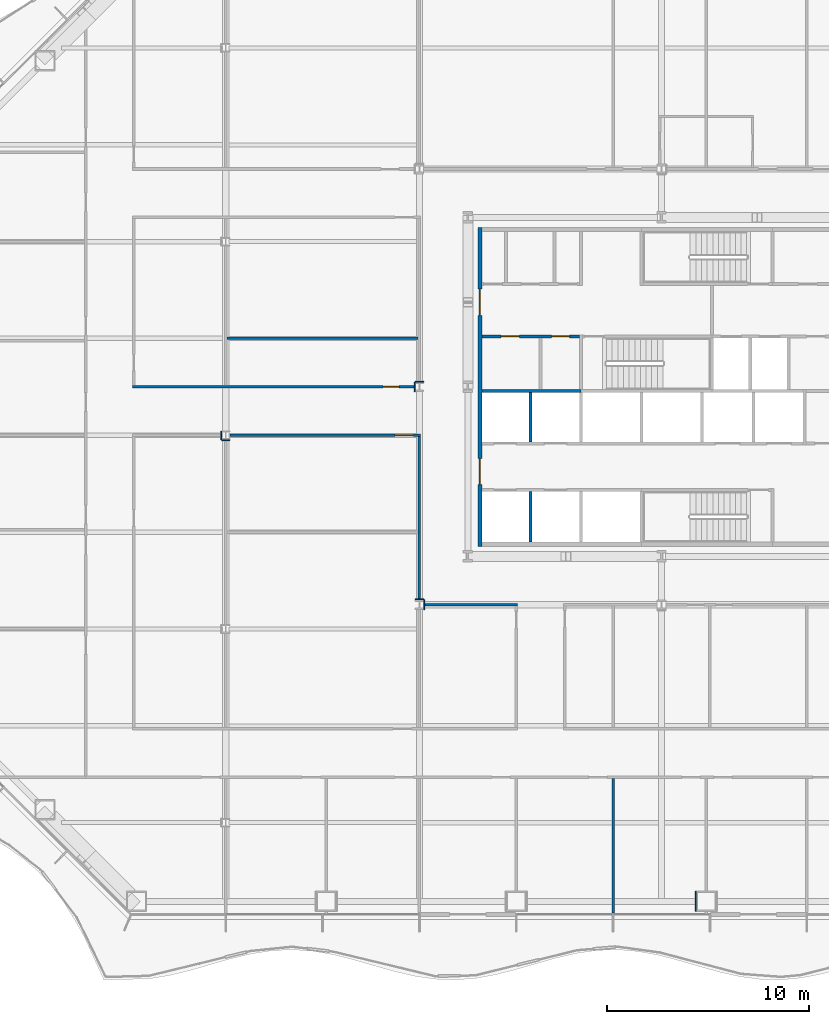
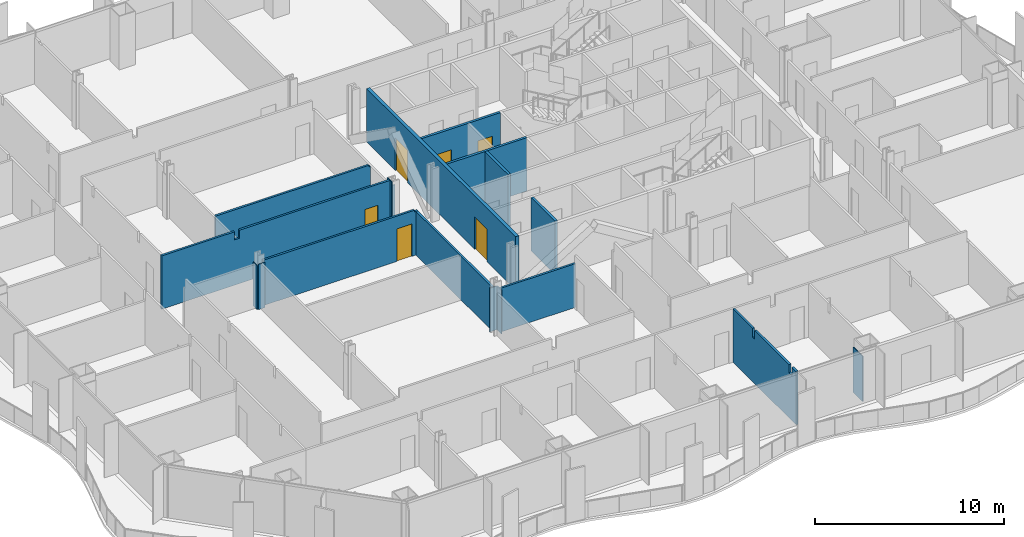
# One storey, part 9 of 20: 18 walls, 6 doors, 6 openings.
"""IFC4 building model written with IfcOpenShell, lengths in metres."""

from ifc_helpers import new_model, si_unit, direction, frame, frame_2d, origin, place, context, subcontext, project, spatial, polyline, rectangle, outline, extrude, material, layer, layer_set, type_object, element, fill, save


model = new_model("IFC4")

# Units and contexts
model_context = context("Model", 3, precision=1e-05, world=origin(), true_north=direction((0.0, 1.0)))
body_context = subcontext(model_context, "Body", "Model", "MODEL_VIEW")
ifc_project = project(units=[si_unit("LENGTHUNIT", "METRE"), si_unit("AREAUNIT", "SQUARE_METRE"), si_unit("VOLUMEUNIT", "CUBIC_METRE"), si_unit("PLANEANGLEUNIT", "RADIAN"), si_unit("MASSUNIT", "GRAM", prefix="KILO")], contexts=[model_context])

# Site, building, storey
site_placement = place(None, origin())
site = spatial("IfcSite", under=ifc_project, at=site_placement, CompositionType="ELEMENT")
building_placement = place(site_placement, origin())
building = spatial("IfcBuilding", under=site, at=building_placement, Name="Cairn Pilgrim Tower", CompositionType="ELEMENT")
storey_placement = place(building_placement, frame((0.0, 0.0, 51.0)))
storey = spatial("IfcBuildingStorey", under=building, at=storey_placement, Name="L10", CompositionType="ELEMENT", Elevation=51.0)

# Wall, openings, doors
ifc_material_1 = material(Name="Concrete C32/40", Category="concrete")
ifc_layer_1 = layer(ifc_material_1, 0.199951171875)
ifc_layer_set_1 = layer_set([ifc_layer_1], Name="CORE OUTER WALL 200 EI 120")
wall_type_1 = type_object("IfcWallType", Name="CORE OUTER WALL 200 EI 120", PredefinedType="SOLIDWALL", material=ifc_layer_set_1)
wall_1_placement = place(storey_placement, frame((-1.800048828125, -5.5, 0.0), z_axis=(0.0, 0.0, 1.0), x_axis=(0.0, 1.0, 0.0)))
wall_1 = element("IfcWall", 1, at=wall_1_placement, inside=storey, type_object=wall_type_1, Name="CW:L10:V12", PredefinedType="SOLIDWALL", context=body_context, shape_type="SweptSolid", body=[
    extrude(rectangle(XDim=15.800048828125, YDim=0.199951171875, at=frame_2d((7.89990234375, 0.0))), origin(), (0.0, 0.0, 1.0), 3.449951171875),
])
opening_1_placement = place(wall_1_placement, frame((3.050048828125, 0.0, 0.0)))
opening_1 = element("IfcOpeningElement", 2, at=opening_1_placement, cuts=wall_1, Name="Opening CD-W1", PredefinedType="OPENING", context=body_context, shape_type="SweptSolid", body=[
    extrude(rectangle(XDim=1.300048828125, YDim=2.10009765625, at=frame_2d((0.64990234375, 1.050048828125))), frame((0.0, 0.10986328125, 0.0), z_axis=(0.0, -1.0, 0.0), x_axis=(1.0, 0.0, 0.0)), (0.0, 0.0, 1.0), 0.219970703125),
])
opening_2_placement = place(wall_1_placement, frame((11.449951171875, 0.0, 0.0)))
opening_2 = element("IfcOpeningElement", 3, at=opening_2_placement, cuts=wall_1, Name="Opening CD-W2", PredefinedType="OPENING", context=body_context, shape_type="SweptSolid", body=[
    extrude(rectangle(XDim=1.300048828125, YDim=2.10009765625, at=frame_2d((0.64990234375, 1.050048828125))), frame((0.0, 0.10986328125, 0.0), z_axis=(0.0, -1.0, 0.0), x_axis=(1.0, 0.0, 0.0)), (0.0, 0.0, 1.0), 0.219970703125),
])
ifc_material_2 = material(Name="Painted steel", Category="steel")
door_type_1 = type_object("IfcDoorType", Name="CORE LOBBY DOOR 1300x2100", OperationType="DOUBLE_DOOR_SINGLE_SWING", PredefinedType="DOOR", material=ifc_material_2)
door_1_placement = place(opening_1_placement, origin())
door_1 = element("IfcDoor", 4, at=door_1_placement, inside=storey, type_object=door_type_1, Name="CD-W1", OperationType="DOUBLE_DOOR_SINGLE_SWING", OverallHeight=2.10009765625, OverallWidth=1.300048828125, PredefinedType="DOOR", context=body_context, shape_type="SweptSolid", body=[
    extrude(rectangle(XDim=1.300048828125, YDim=2.10009765625, at=frame_2d((0.64990234375, 1.050048828125))), frame((0.0, 0.02490234375, 0.0), z_axis=(0.0, -1.0, 0.0), x_axis=(1.0, 0.0, 0.0)), (0.0, 0.0, 1.0), 0.050048828125),
])
fill(opening_1, door_1)
door_2_placement = place(opening_2_placement, origin())
door_2 = element("IfcDoor", 5, at=door_2_placement, inside=storey, type_object=door_type_1, Name="CD-W2", OperationType="DOUBLE_DOOR_SINGLE_SWING", OverallHeight=2.10009765625, OverallWidth=1.300048828125, PredefinedType="DOOR", context=body_context, shape_type="SweptSolid", body=[
    extrude(rectangle(XDim=1.300048828125, YDim=2.10009765625, at=frame_2d((0.64990234375, 1.050048828125))), frame((0.0, 0.02490234375, 0.0), z_axis=(0.0, -1.0, 0.0), x_axis=(1.0, 0.0, 0.0)), (0.0, 0.0, 1.0), 0.050048828125),
])
fill(opening_2, door_2)

ifc_layer_2 = layer(ifc_material_1, 0.14990234375)
ifc_layer_set_2 = layer_set([ifc_layer_2], Name="CORE PARTITION 150 EI 60")
wall_type_2 = type_object("IfcWallType", Name="CORE PARTITION 150 EI 60", PredefinedType="PARTITIONING", material=ifc_layer_set_2)
wall_2_placement = place(storey_placement, frame((-1.699951171875, 4.89990234375, 0.0), z_axis=(0.0, 0.0, 1.0), x_axis=(1.0, 0.0, 0.0)))
wall_2 = element("IfcWall", 6, at=wall_2_placement, inside=storey, type_object=wall_type_2, Name="CW:L10:H07", PredefinedType="PARTITIONING", context=body_context, shape_type="SweptSolid", body=[
    extrude(rectangle(XDim=4.824951171875, YDim=0.14990234375, at=frame_2d((2.41259765625, 0.0))), origin(), (0.0, 0.0, 1.0), 3.449951171875),
])
opening_3_placement = place(wall_2_placement, frame((0.949951171875, 0.0, 0.0)))
opening_3 = element("IfcOpeningElement", 7, at=opening_3_placement, cuts=wall_2, Name="Opening RD-R3W1", PredefinedType="OPENING", context=body_context, shape_type="SweptSolid", body=[
    extrude(rectangle(XDim=0.89990234375, YDim=2.10009765625, at=frame_2d((0.449951171875, 1.050048828125))), frame((0.0, 0.0849609375, 0.0), z_axis=(0.0, -1.0, 0.0), x_axis=(1.0, 0.0, 0.0)), (0.0, 0.0, 1.0), 0.169921875),
])
opening_4_placement = place(wall_2_placement, frame((3.449951171875, 0.0, 0.0)))
opening_4 = element("IfcOpeningElement", 8, at=opening_4_placement, cuts=wall_2, Name="Opening RD-R3W2", PredefinedType="OPENING", context=body_context, shape_type="SweptSolid", body=[
    extrude(rectangle(XDim=0.89990234375, YDim=2.10009765625, at=frame_2d((0.449951171875, 1.050048828125))), frame((0.0, 0.0849609375, 0.0), z_axis=(0.0, -1.0, 0.0), x_axis=(1.0, 0.0, 0.0)), (0.0, 0.0, 1.0), 0.169921875),
])
door_type_2 = type_object("IfcDoorType", Name="SERVICE ROOM DOOR 900x2100", OperationType="SINGLE_SWING_LEFT", PredefinedType="DOOR", material=ifc_material_2)
door_3_placement = place(opening_3_placement, origin())
door_3 = element("IfcDoor", 9, at=door_3_placement, inside=storey, type_object=door_type_2, Name="RD-R3W1", OperationType="SINGLE_SWING_RIGHT", OverallHeight=2.10009765625, OverallWidth=0.89990234375, PredefinedType="DOOR", context=body_context, shape_type="SweptSolid", body=[
    extrude(rectangle(XDim=0.89990234375, YDim=2.10009765625, at=frame_2d((0.449951171875, 1.050048828125))), frame((0.0, 0.02490234375, 0.0), z_axis=(0.0, -1.0, 0.0), x_axis=(1.0, 0.0, 0.0)), (0.0, 0.0, 1.0), 0.050048828125),
])
fill(opening_3, door_3)
door_4_placement = place(opening_4_placement, origin())
door_4 = element("IfcDoor", 10, at=door_4_placement, inside=storey, type_object=door_type_2, Name="RD-R3W2", OperationType="SINGLE_SWING_LEFT", OverallHeight=2.10009765625, OverallWidth=0.89990234375, PredefinedType="DOOR", context=body_context, shape_type="SweptSolid", body=[
    extrude(rectangle(XDim=0.89990234375, YDim=2.10009765625, at=frame_2d((0.449951171875, 1.050048828125))), frame((0.0, 0.02490234375, 0.0), z_axis=(0.0, -1.0, 0.0), x_axis=(1.0, 0.0, 0.0)), (0.0, 0.0, 1.0), 0.050048828125),
])
fill(opening_4, door_4)

# Walls
ifc_layer_3 = layer(ifc_material_1, 0.14990234375)
ifc_layer_set_3 = layer_set([ifc_layer_3], Name="CORE SHAFT WALL 150 EI 120")
wall_type_3 = type_object("IfcWallType", Name="CORE SHAFT WALL 150 EI 120", PredefinedType="SOLIDWALL", material=ifc_layer_set_3)
wall_3_placement = place(storey_placement, frame((-1.699951171875, 2.199951171875, 0.0), z_axis=(0.0, 0.0, 1.0), x_axis=(1.0, 0.0, 0.0)))
element("IfcWall", 11, at=wall_3_placement, inside=storey, type_object=wall_type_3, Name="CW:L10:H05-1", PredefinedType="SOLIDWALL", context=body_context, shape_type="SweptSolid", body=[
    extrude(rectangle(XDim=4.89990234375, YDim=0.14990234375, at=frame_2d((2.449951171875, 0.0))), origin(), (0.0, 0.0, 1.0), 3.449951171875),
])
wall_4_placement = place(storey_placement, frame((0.699951171875, -5.300048828125, 0.0), z_axis=(0.0, 0.0, 1.0), x_axis=(0.0, 1.0, 0.0)))
element("IfcWall", 12, at=wall_4_placement, inside=storey, type_object=wall_type_3, Name="CW:L10:V14", PredefinedType="SOLIDWALL", context=body_context, shape_type="SweptSolid", body=[
    extrude(rectangle(XDim=2.525146484375, YDim=0.14990234375, at=frame_2d((1.2626953125, 0.0))), origin(), (0.0, 0.0, 1.0), 3.449951171875),
])
wall_5_placement = place(storey_placement, frame((0.699951171875, -0.324951171875, 0.0), z_axis=(0.0, 0.0, 1.0), x_axis=(0.0, 1.0, 0.0)))
element("IfcWall", 13, at=wall_5_placement, inside=storey, type_object=wall_type_3, Name="CW:L10:V15", PredefinedType="SOLIDWALL", context=body_context, shape_type="SweptSolid", body=[
    extrude(rectangle(XDim=2.449951171875, YDim=0.14990234375, at=frame_2d((1.22509765625, 0.0))), origin(), (0.0, 0.0, 1.0), 3.449951171875),
])
ifc_material_3 = material(Name="Gypsum partition")
ifc_layer_4 = layer(ifc_material_3, 0.125)
ifc_layer_set_4 = layer_set([ifc_layer_4], Name="PARTITION 125 DRYWALL EI 60")
wall_type_4 = type_object("IfcWallType", Name="PARTITION 125 DRYWALL EI 60", PredefinedType="PARTITIONING", material=ifc_layer_set_4)
wall_6_placement = place(storey_placement, frame((4.800048828125, -23.68994140625, 0.0), z_axis=(0.0, 0.0, 1.0), x_axis=(0.0, 1.0, 0.0)))
element("IfcWall", 14, at=wall_6_placement, inside=storey, type_object=wall_type_4, Name="PARTITION W004", PredefinedType="PARTITIONING", context=body_context, shape_type="SweptSolid", body=[
    extrude(outline(polyline([(0.0, 0.0), (6.677490234375, 0.0), (6.677490234375, 3.449951171875), (4.594970703125, 3.449951171875), (4.593017578125, 2.8798828125), (4.385009765625, 2.8798828125), (4.383056640625, 3.449951171875), (0.739990234375, 3.449951171875), (0.738037109375, 2.929931640625), (0.43994140625, 2.929931640625), (0.43798828125, 3.449951171875), (0.0, 3.449951171875), (0.0, 0.0)])), frame((0.0, 0.0625, 0.0), z_axis=(0.0, -1.0, 0.0), x_axis=(1.0, 0.0, 0.0)), (0.0, 0.0, 1.0), 0.125),
])
wall_7_placement = place(storey_placement, frame((-4.587890625, -8.39990234375, 0.0), z_axis=(0.0, 0.0, 1.0), x_axis=(1.0, 0.0, 0.0)))
element("IfcWall", 15, at=wall_7_placement, inside=storey, type_object=wall_type_4, Name="PARTITION W031", PredefinedType="PARTITIONING", context=body_context, shape_type="SweptSolid", body=[
    extrude(rectangle(XDim=4.650390625, YDim=0.125, at=frame_2d((2.3251953125, 0.0))), origin(), (0.0, 0.0, 1.0), 2.830078125),
])
wall_8_placement = place(storey_placement, frame((-4.800048828125, -8.1630859375, 0.0), z_axis=(0.0, 0.0, 1.0), x_axis=(0.0, 1.0, 0.0)))
element("IfcWall", 16, at=wall_8_placement, inside=storey, type_object=wall_type_4, Name="PARTITION W034", PredefinedType="PARTITIONING", context=body_context, shape_type="SweptSolid", body=[
    extrude(rectangle(XDim=8.1005859375, YDim=0.125, at=frame_2d((4.05029296875, 0.0))), origin(), (0.0, 0.0, 1.0), 2.830078125),
])

# Wall, opening, door
wall_9_placement = place(storey_placement, frame((-14.195556640625, 0.0, 0.0), z_axis=(0.0, 0.0, 1.0), x_axis=(1.0, 0.0, 0.0)))
wall_9 = element("IfcWall", 17, at=wall_9_placement, inside=storey, type_object=wall_type_4, Name="PARTITION W046", PredefinedType="PARTITIONING", context=body_context, shape_type="SweptSolid", body=[
    extrude(outline(polyline([(0.0, 0.0), (9.4580078125, 0.0), (9.4580078125, 2.830078125), (9.24560546875, 2.830078125), (9.243408203125, 2.929931640625), (0.0, 2.929931640625), (0.0, 0.0)])), frame((0.0, 0.0625, 0.0), z_axis=(0.0, -1.0, 0.0), x_axis=(1.0, 0.0, 0.0)), (0.0, 0.0, 1.0), 0.125),
])
opening_5_placement = place(wall_9_placement, frame((8.195556640625, 0.0, 0.0)))
opening_5 = element("IfcOpeningElement", 18, at=opening_5_placement, cuts=wall_9, Name="Opening 1029", PredefinedType="OPENING", context=body_context, shape_type="SweptSolid", body=[
    extrude(rectangle(XDim=0.89990234375, YDim=2.10009765625, at=frame_2d((0.449951171875, 1.050048828125))), frame((0.0, 0.072509765625, 0.0), z_axis=(0.0, -1.0, 0.0), x_axis=(1.0, 0.0, 0.0)), (0.0, 0.0, 1.0), 0.14501953125),
])
ifc_material_4 = material(Name="Steel-faced fire door leaf", Category="steel")
door_type_3 = type_object("IfcDoorType", Name="FIRE DOOR 900x2100 FD30S", OperationType="NOTDEFINED", PredefinedType="DOOR", material=ifc_material_4)
door_5_placement = place(opening_5_placement, frame((0.89990234375, 0.0, 0.0), z_axis=(0.0, 0.0, 1.0), x_axis=(-1.0, 0.0, 0.0)))
door_5 = element("IfcDoor", 19, at=door_5_placement, inside=storey, type_object=door_type_3, Name="DOOR 1029", OperationType="SINGLE_SWING_RIGHT", OverallHeight=2.10009765625, OverallWidth=0.89990234375, PredefinedType="DOOR", context=body_context, shape_type="SweptSolid", body=[
    extrude(rectangle(XDim=0.89990234375, YDim=2.10009765625, at=frame_2d((0.449951171875, 1.050048828125))), frame((0.0, 0.02490234375, 0.0), z_axis=(0.0, -1.0, 0.0), x_axis=(1.0, 0.0, 0.0)), (0.0, 0.0, 1.0), 0.050048828125),
])
fill(opening_5, door_5)

wall_10_placement = place(storey_placement, frame((-19.012451171875, 2.39990234375, 0.0), z_axis=(0.0, 0.0, 1.0), x_axis=(1.0, 0.0, 0.0)))
wall_10 = element("IfcWall", 20, at=wall_10_placement, inside=storey, type_object=wall_type_4, Name="PARTITION W050", PredefinedType="PARTITIONING", context=body_context, shape_type="SweptSolid", body=[
    extrude(outline(polyline([(0.0, 0.0), (14.00048828125, 0.0), (14.00048828125, 3.449951171875), (4.762451171875, 3.449951171875), (4.760498046875, 2.929931640625), (4.46240234375, 2.929931640625), (4.46044921875, 3.449951171875), (0.0, 3.449951171875), (0.0, 0.0)])), frame((0.0, 0.0625, 0.0), z_axis=(0.0, -1.0, 0.0), x_axis=(1.0, 0.0, 0.0)), (0.0, 0.0, 1.0), 0.125),
])
opening_6_placement = place(wall_10_placement, frame((12.41259765625, 0.0, 0.0)))
opening_6 = element("IfcOpeningElement", 21, at=opening_6_placement, cuts=wall_10, Name="Opening 1030", PredefinedType="OPENING", context=body_context, shape_type="SweptSolid", body=[
    extrude(rectangle(XDim=0.800048828125, YDim=2.10009765625, at=frame_2d((0.39990234375, 1.050048828125))), frame((0.0, 0.072509765625, 0.0), z_axis=(0.0, -1.0, 0.0), x_axis=(1.0, 0.0, 0.0)), (0.0, 0.0, 1.0), 0.14501953125),
])
door_type_4 = type_object("IfcDoorType", Name="FIRE DOOR 800x2100 FD30S", OperationType="NOTDEFINED", PredefinedType="DOOR", material=ifc_material_4)
door_6_placement = place(opening_6_placement, origin())
door_6 = element("IfcDoor", 22, at=door_6_placement, inside=storey, type_object=door_type_4, Name="DOOR 1030", OperationType="SINGLE_SWING_LEFT", OverallHeight=2.10009765625, OverallWidth=0.800048828125, PredefinedType="DOOR", context=body_context, shape_type="SweptSolid", body=[
    extrude(rectangle(XDim=0.800048828125, YDim=2.10009765625, at=frame_2d((0.39990234375, 1.050048828125))), frame((0.0, 0.02490234375, 0.0), z_axis=(0.0, -1.0, 0.0), x_axis=(1.0, 0.0, 0.0)), (0.0, 0.0, 1.0), 0.050048828125),
])
fill(opening_6, door_6)

# Walls
wall_11_placement = place(storey_placement, frame((-14.33740234375, 4.800048828125, 0.0), z_axis=(0.0, 0.0, 1.0), x_axis=(1.0, 0.0, 0.0)))
element("IfcWall", 23, at=wall_11_placement, inside=storey, type_object=wall_type_4, Name="PARTITION W059", PredefinedType="PARTITIONING", context=body_context, shape_type="SweptSolid", body=[
    extrude(outline(polyline([(0.0, 0.0), (9.474853515625, 0.0), (9.47509765625, 2.830078125), (9.387451171875, 2.830078125), (9.385498046875, 2.929931640625), (0.0, 2.929931640625), (0.0, 0.0)])), frame((0.0, 0.0625, 0.0), z_axis=(0.0, -1.0, 0.0), x_axis=(1.0, 0.0, 0.0)), (0.0, 0.0, 1.0), 0.125),
])
ifc_layer_5 = layer(ifc_material_3, 0.050048828125)
ifc_layer_set_5 = layer_set([ifc_layer_5], Name="PARTITION 50 DRYWALL EI 60")
wall_type_5 = type_object("IfcWallType", Name="PARTITION 50 DRYWALL EI 60", PredefinedType="PARTITIONING", material=ifc_layer_set_5)
wall_12_placement = place(storey_placement, frame((8.888671875, -23.60009765625, 0.0), z_axis=(0.0, 0.0, 1.0), x_axis=(0.0, 1.0, 0.0)))
element("IfcWall", 24, at=wall_12_placement, inside=storey, type_object=wall_type_5, Name="COLUMN CASING WC06", PredefinedType="PARTITIONING", context=body_context, shape_type="SweptSolid", body=[
    extrude(rectangle(XDim=1.0, YDim=0.050048828125, at=frame_2d((0.5, 0.0))), origin(), (0.0, 0.0, 1.0), 2.929931640625),
])
wall_13_placement = place(storey_placement, frame((-14.62939453125, -0.21240234375, 0.0), z_axis=(0.0, 0.0, 1.0), x_axis=(0.0, 1.0, 0.0)))
element("IfcWall", 25, at=wall_13_placement, inside=storey, type_object=wall_type_5, Name="COLUMN CASING WC13", PredefinedType="PARTITIONING", context=body_context, shape_type="SweptSolid", body=[
    extrude(rectangle(XDim=0.4248046875, YDim=0.050048828125, at=frame_2d((0.21240234375, 0.0))), origin(), (0.0, 0.0, 1.0), 2.830078125),
])
wall_14_placement = place(storey_placement, frame((-4.56298828125, -8.636962890625, 0.0), z_axis=(0.0, 0.0, 1.0), x_axis=(0.0, 1.0, 0.0)))
element("IfcWall", 26, at=wall_14_placement, inside=storey, type_object=wall_type_5, Name="COLUMN CASING WC14", PredefinedType="PARTITIONING", context=body_context, shape_type="SweptSolid", body=[
    extrude(rectangle(XDim=0.473876953125, YDim=0.050048828125, at=frame_2d((0.23681640625, 0.0))), origin(), (0.0, 0.0, 1.0), 2.830078125),
])
wall_15_placement = place(storey_placement, frame((-5.011962890625, -8.137939453125, 0.0), z_axis=(0.0, 0.0, 1.0), x_axis=(1.0, 0.0, 0.0)))
element("IfcWall", 27, at=wall_15_placement, inside=storey, type_object=wall_type_5, Name="COLUMN CASING WC15", PredefinedType="PARTITIONING", context=body_context, shape_type="SweptSolid", body=[
    extrude(rectangle(XDim=0.424072265625, YDim=0.050048828125, at=frame_2d((0.2119140625, 0.0))), origin(), (0.0, 0.0, 1.0), 2.830078125),
])
wall_16_placement = place(storey_placement, frame((-14.6044921875, -0.237548828125, 0.0), z_axis=(0.0, 0.0, 1.0), x_axis=(1.0, 0.0, 0.0)))
element("IfcWall", 28, at=wall_16_placement, inside=storey, type_object=wall_type_5, Name="COLUMN CASING WC21", PredefinedType="PARTITIONING", context=body_context, shape_type="SweptSolid", body=[
    extrude(rectangle(XDim=0.408935546875, YDim=0.050048828125, at=frame_2d((0.20458984375, 0.0))), origin(), (0.0, 0.0, 1.0), 2.929931640625),
])
wall_17_placement = place(storey_placement, frame((-5.011962890625, 2.662109375, 0.0), z_axis=(0.0, 0.0, 1.0), x_axis=(1.0, 0.0, 0.0)))
element("IfcWall", 29, at=wall_17_placement, inside=storey, type_object=wall_type_5, Name="COLUMN CASING WC23", PredefinedType="PARTITIONING", context=body_context, shape_type="SweptSolid", body=[
    extrude(rectangle(XDim=0.424072265625, YDim=0.050048828125, at=frame_2d((0.2119140625, 0.0))), origin(), (0.0, 0.0, 1.0), 2.830078125),
])
wall_18_placement = place(storey_placement, frame((-5.037109375, 2.1630859375, 0.0), z_axis=(0.0, 0.0, 1.0), x_axis=(0.0, 1.0, 0.0)))
element("IfcWall", 30, at=wall_18_placement, inside=storey, type_object=wall_type_5, Name="COLUMN CASING WC25", PredefinedType="PARTITIONING", context=body_context, shape_type="SweptSolid", body=[
    extrude(rectangle(XDim=0.473876953125, YDim=0.050048828125, at=frame_2d((0.23681640625, 0.0))), origin(), (0.0, 0.0, 1.0), 3.449951171875),
])

save(model, "model.ifc")
